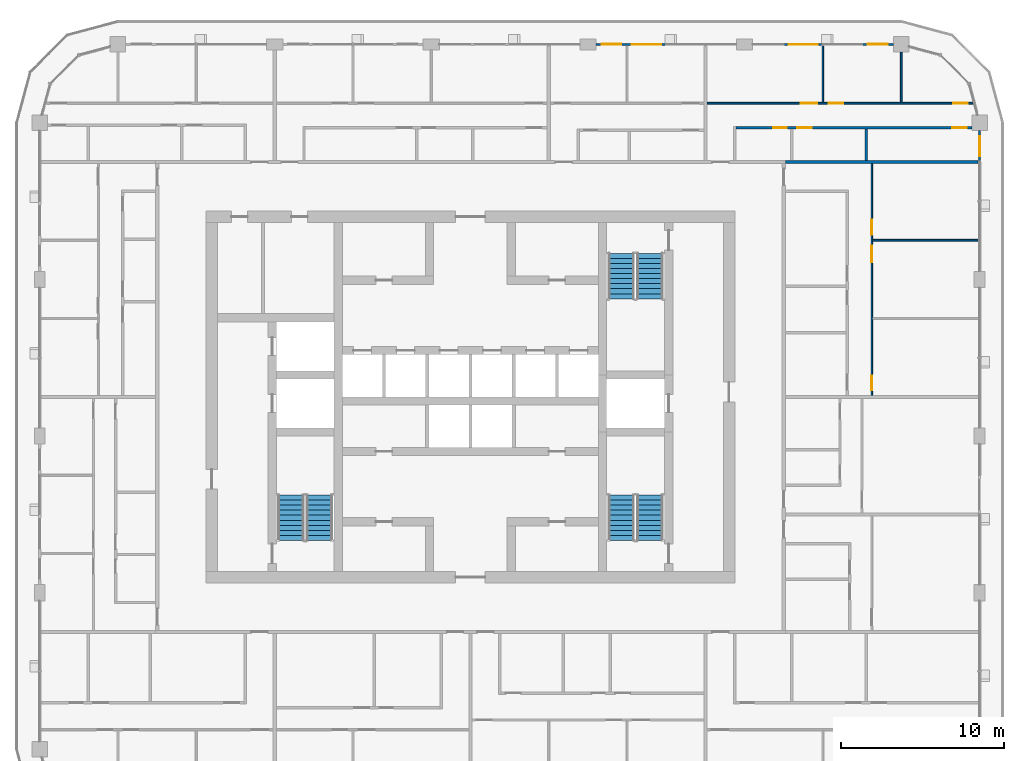
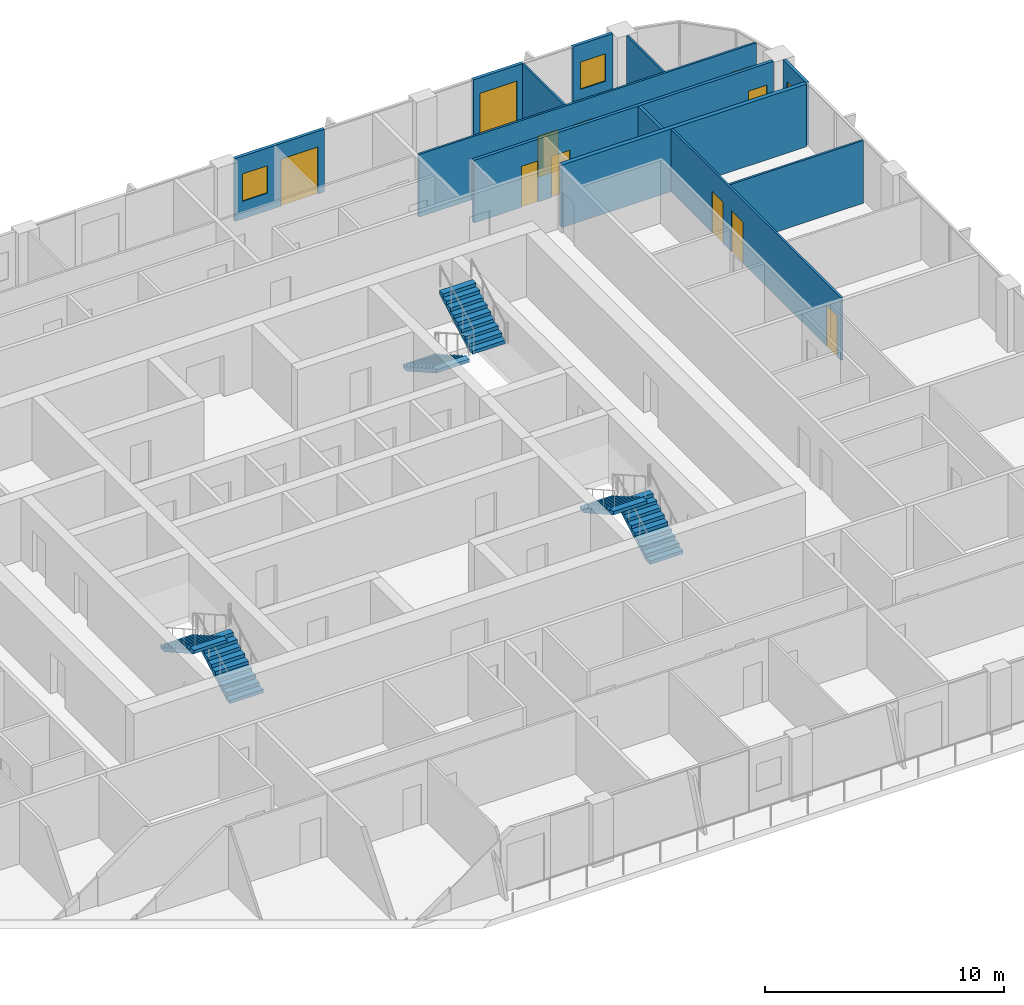
# One storey, part 15 of 21: 12 walls, 11 doors, 6 stair flights, 3 windows, 14 openings, 3 elements without a shape of their own.
"""IFC4 building model written with IfcOpenShell, lengths in metres."""

from ifc_helpers import new_model, si_unit, direction, frame, frame_2d, origin, place, context, subcontext, project, spatial, polyline, rectangle, outline, extrude, material, layer, layer_set, type_object, element, fill, aggregate, save


model = new_model("IFC4")

# Units and contexts
model_context = context("Model", 3, precision=1e-05, world=origin(), true_north=direction((0.0, 1.0)))
body_context = subcontext(model_context, "Body", "Model", "MODEL_VIEW")
ifc_project = project(units=[si_unit("LENGTHUNIT", "METRE"), si_unit("AREAUNIT", "SQUARE_METRE"), si_unit("VOLUMEUNIT", "CUBIC_METRE"), si_unit("PLANEANGLEUNIT", "RADIAN"), si_unit("MASSUNIT", "GRAM", prefix="KILO")], contexts=[model_context])

# Site, building, storey
site_placement = place(None, origin())
site = spatial("IfcSite", under=ifc_project, at=site_placement, CompositionType="ELEMENT")
building_placement = place(site_placement, origin())
building = spatial("IfcBuilding", under=site, at=building_placement, Name="Madar Terraces", CompositionType="ELEMENT")
storey_placement = place(building_placement, frame((0.0, 0.0, 196.39990234375)))
storey = spatial("IfcBuildingStorey", under=building, at=storey_placement, Name="L51", CompositionType="ELEMENT", Elevation=196.39990234375)

# Wall, opening, window
ifc_material_1 = material(Name="Aluminium composite panel, black, over insulated backing", Category="aluminium")
ifc_layer_1 = layer(ifc_material_1, 0.14990234375)
ifc_layer_set_1 = layer_set([ifc_layer_1], Name="Facade bay panel 150")
wall_type_1 = type_object("IfcWallType", Name="Facade bay panel 150", PredefinedType="SOLIDWALL", material=ifc_layer_set_1)
wall_1_placement = place(storey_placement, frame((62.39990234375, 40.800048828125, 0.0), z_axis=(0.0, 0.0, 1.0), x_axis=(0.0, 1.0, 0.0)))
wall_1 = element("IfcWall", 1, at=wall_1_placement, inside=storey, type_object=wall_type_1, Name="Facade bay panel", PredefinedType="SOLIDWALL", context=body_context, shape_type="SweptSolid", body=[
    extrude(rectangle(XDim=1.925048828125, YDim=0.14990234375, at=frame_2d((0.96240234375, 0.0))), origin(), (0.0, 0.0, 1.0), 3.2001953125),
])
opening_1_placement = place(wall_1_placement, frame((0.362548828125, 0.0, 0.89990234375)))
opening_1 = element("IfcOpeningElement", 2, at=opening_1_placement, cuts=wall_1, Name="Opening W1", PredefinedType="OPENING", context=body_context, shape_type="SweptSolid", body=[
    extrude(rectangle(XDim=1.199951171875, YDim=1.39990234375, at=frame_2d((0.60009765625, 0.699951171875))), frame((0.0, 0.0849609375, 0.0), z_axis=(0.0, -1.0, 0.0), x_axis=(1.0, 0.0, 0.0)), (0.0, 0.0, 1.0), 0.169921875),
])
ifc_material_2 = material(Name="Glass, clear, with black aluminium frame", Category="aluminium")
window_type = type_object("IfcWindowType", Name="Vent window 1200 x 1400", PartitioningType="SINGLE_PANEL", PredefinedType="WINDOW", material=ifc_material_2)
window_1_placement = place(opening_1_placement, origin())
window_1 = element("IfcWindow", 3, at=window_1_placement, inside=storey, type_object=window_type, Name="Operable vent window", OverallHeight=1.39990234375, OverallWidth=1.199951171875, PartitioningType="SINGLE_PANEL", PredefinedType="WINDOW", context=body_context, shape_type="SweptSolid", body=[
    extrude(rectangle(XDim=1.199951171875, YDim=1.39990234375, at=frame_2d((0.60009765625, 0.699951171875))), frame((0.0, 0.030029296875, 0.0), z_axis=(0.0, -1.0, 0.0), x_axis=(1.0, 0.0, 0.0)), (0.0, 0.0, 1.0), 0.06005859375),
])
fill(opening_1, window_1)

wall_2_placement = place(storey_placement, frame((57.125, 48.0, 0.0), z_axis=(0.0, 0.0, 1.0), x_axis=(-1.0, 0.0, 0.0)))
wall_2 = element("IfcWall", 4, at=wall_2_placement, inside=storey, type_object=wall_type_1, Name="Facade bay panel", PredefinedType="SOLIDWALL", context=body_context, shape_type="SweptSolid", body=[
    extrude(rectangle(XDim=1.925048828125, YDim=0.14990234375, at=frame_2d((0.96240234375, 0.0))), origin(), (0.0, 0.0, 1.0), 3.2001953125),
])
opening_2_placement = place(wall_2_placement, frame((0.362548828125, 0.0, 0.89990234375)))
opening_2 = element("IfcOpeningElement", 5, at=opening_2_placement, cuts=wall_2, Name="Opening W1", PredefinedType="OPENING", context=body_context, shape_type="SweptSolid", body=[
    extrude(rectangle(XDim=1.199951171875, YDim=1.39990234375, at=frame_2d((0.60009765625, 0.699951171875))), frame((0.0, 0.0849609375, 0.0), z_axis=(0.0, -1.0, 0.0), x_axis=(1.0, 0.0, 0.0)), (0.0, 0.0, 1.0), 0.169921875),
])
window_2_placement = place(opening_2_placement, origin())
window_2 = element("IfcWindow", 6, at=window_2_placement, inside=storey, type_object=window_type, Name="Operable vent window", OverallHeight=1.39990234375, OverallWidth=1.199951171875, PartitioningType="SINGLE_PANEL", PredefinedType="WINDOW", context=body_context, shape_type="SweptSolid", body=[
    extrude(rectangle(XDim=1.199951171875, YDim=1.39990234375, at=frame_2d((0.60009765625, 0.699951171875))), frame((0.0, 0.030029296875, 0.0), z_axis=(0.0, -1.0, 0.0), x_axis=(1.0, 0.0, 0.0)), (0.0, 0.0, 1.0), 0.06005859375),
])
fill(opening_2, window_2)

# Wall, opening, door
wall_3_placement = place(storey_placement, frame((52.800048828125, 48.0, 0.0), z_axis=(0.0, 0.0, 1.0), x_axis=(-1.0, 0.0, 0.0)))
wall_3 = element("IfcWall", 7, at=wall_3_placement, inside=storey, type_object=wall_type_1, Name="Facade bay panel", PredefinedType="SOLIDWALL", context=body_context, shape_type="SweptSolid", body=[
    extrude(rectangle(XDim=2.400146484375, YDim=0.14990234375, at=frame_2d((1.2001953125, 0.0))), origin(), (0.0, 0.0, 1.0), 3.2001953125),
])
opening_3_placement = place(wall_3_placement, frame((0.300048828125, 0.0, 0.0)))
opening_3 = element("IfcOpeningElement", 8, at=opening_3_placement, cuts=wall_3, Name="Opening ED1", PredefinedType="OPENING", context=body_context, shape_type="SweptSolid", body=[
    extrude(rectangle(XDim=1.800048828125, YDim=2.39990234375, at=frame_2d((0.89990234375, 1.199951171875))), frame((0.0, 0.0849609375, 0.0), z_axis=(0.0, -1.0, 0.0), x_axis=(1.0, 0.0, 0.0)), (0.0, 0.0, 1.0), 0.169921875),
])
ifc_material_3 = material(Name="Glass, clear, with black aluminium frame", Category="aluminium")
door_type_1 = type_object("IfcDoorType", Name="Balcony and terrace sliding door 1800 x 2400", OperationType="SLIDING_TO_LEFT", PredefinedType="DOOR", material=ifc_material_3)
door_1_placement = place(opening_3_placement, origin())
door_1 = element("IfcDoor", 9, at=door_1_placement, inside=storey, type_object=door_type_1, Name="Balcony door", OperationType="SLIDING_TO_LEFT", OverallHeight=2.39990234375, OverallWidth=1.800048828125, PredefinedType="DOOR", context=body_context, shape_type="SweptSolid", body=[
    extrude(rectangle(XDim=1.800048828125, YDim=2.39990234375, at=frame_2d((0.89990234375, 1.199951171875))), frame((0.0, 0.02490234375, 0.0), z_axis=(0.0, -1.0, 0.0), x_axis=(1.0, 0.0, 0.0)), (0.0, 0.0, 1.0), 0.050048828125),
])
fill(opening_3, door_1)

# Wall, openings, door, window
wall_4_placement = place(storey_placement, frame((43.199951171875, 48.0, 0.0), z_axis=(0.0, 0.0, 1.0), x_axis=(-1.0, 0.0, 0.0)))
wall_4 = element("IfcWall", 10, at=wall_4_placement, inside=storey, type_object=wall_type_1, Name="Facade bay panel", PredefinedType="SOLIDWALL", context=body_context, shape_type="SweptSolid", body=[
    extrude(rectangle(XDim=4.300048828125, YDim=0.14990234375, at=frame_2d((2.14990234375, 0.0))), origin(), (0.0, 0.0, 1.0), 3.2001953125),
])
opening_4_placement = place(wall_4_placement, frame((0.300048828125, 0.0, 0.0)))
opening_4 = element("IfcOpeningElement", 11, at=opening_4_placement, cuts=wall_4, Name="Opening ED1", PredefinedType="OPENING", context=body_context, shape_type="SweptSolid", body=[
    extrude(rectangle(XDim=1.800048828125, YDim=2.39990234375, at=frame_2d((0.89990234375, 1.199951171875))), frame((0.0, 0.0849609375, 0.0), z_axis=(0.0, -1.0, 0.0), x_axis=(1.0, 0.0, 0.0)), (0.0, 0.0, 1.0), 0.169921875),
])
opening_5_placement = place(wall_4_placement, frame((2.75, 0.0, 0.89990234375)))
opening_5 = element("IfcOpeningElement", 12, at=opening_5_placement, cuts=wall_4, Name="Opening W1", PredefinedType="OPENING", context=body_context, shape_type="SweptSolid", body=[
    extrude(rectangle(XDim=1.199951171875, YDim=1.39990234375, at=frame_2d((0.60009765625, 0.699951171875))), frame((0.0, 0.0849609375, 0.0), z_axis=(0.0, -1.0, 0.0), x_axis=(1.0, 0.0, 0.0)), (0.0, 0.0, 1.0), 0.169921875),
])
door_2_placement = place(opening_4_placement, origin())
door_2 = element("IfcDoor", 13, at=door_2_placement, inside=storey, type_object=door_type_1, Name="Balcony door", OperationType="SLIDING_TO_RIGHT", OverallHeight=2.39990234375, OverallWidth=1.800048828125, PredefinedType="DOOR", context=body_context, shape_type="SweptSolid", body=[
    extrude(rectangle(XDim=1.800048828125, YDim=2.39990234375, at=frame_2d((0.89990234375, 1.199951171875))), frame((0.0, 0.02490234375, 0.0), z_axis=(0.0, -1.0, 0.0), x_axis=(1.0, 0.0, 0.0)), (0.0, 0.0, 1.0), 0.050048828125),
])
fill(opening_4, door_2)
window_3_placement = place(opening_5_placement, origin())
window_3 = element("IfcWindow", 14, at=window_3_placement, inside=storey, type_object=window_type, Name="Operable vent window", OverallHeight=1.39990234375, OverallWidth=1.199951171875, PartitioningType="SINGLE_PANEL", PredefinedType="WINDOW", context=body_context, shape_type="SweptSolid", body=[
    extrude(rectangle(XDim=1.199951171875, YDim=1.39990234375, at=frame_2d((0.60009765625, 0.699951171875))), frame((0.0, 0.030029296875, 0.0), z_axis=(0.0, -1.0, 0.0), x_axis=(1.0, 0.0, 0.0)), (0.0, 0.0, 1.0), 0.06005859375),
])
fill(opening_5, window_3)

# Wall
ifc_material_4 = material(Name="Gypsum board on steel studs", Category="steel")
ifc_layer_2 = layer(ifc_material_4, 0.10009765625)
ifc_layer_set_2 = layer_set([ifc_layer_2], Name="Flat partition 100")
wall_type_2 = type_object("IfcWallType", Name="Flat partition 100", PredefinedType="PARTITIONING", material=ifc_layer_set_2)
wall_5_placement = place(storey_placement, frame((55.85009765625, 36.0, 0.0), z_axis=(0.0, 0.0, 1.0), x_axis=(1.0, 0.0, 0.0)))
element("IfcWall", 15, at=wall_5_placement, inside=storey, type_object=wall_type_2, Name="Flat partition 100", PredefinedType="PARTITIONING", context=body_context, shape_type="SweptSolid", body=[
    extrude(rectangle(XDim=6.449951171875, YDim=0.10009765625, at=frame_2d((3.22509765625, 0.0))), origin(), (0.0, 0.0, 1.0), 3.2001953125),
])

# Wall, openings, doors
wall_6_placement = place(storey_placement, frame((55.800048828125, 40.699951171875, 0.0), z_axis=(0.0, 0.0, 1.0), x_axis=(0.0, -1.0, 0.0)))
wall_6 = element("IfcWall", 16, at=wall_6_placement, inside=storey, type_object=wall_type_2, Name="Flat partition 100", PredefinedType="PARTITIONING", context=body_context, shape_type="SweptSolid", body=[
    extrude(rectangle(XDim=14.199951171875, YDim=0.10009765625, at=frame_2d((7.10009765625, 0.0))), origin(), (0.0, 0.0, 1.0), 3.2001953125),
])
opening_6_placement = place(wall_6_placement, frame((3.449951171875, 0.0, 0.0)))
opening_6 = element("IfcOpeningElement", 17, at=opening_6_placement, cuts=wall_6, Name="Opening D2", PredefinedType="OPENING", context=body_context, shape_type="SweptSolid", body=[
    extrude(rectangle(XDim=0.89990234375, YDim=2.10009765625, at=frame_2d((0.449951171875, 1.050048828125))), frame((0.0, 0.06005859375, 0.0), z_axis=(0.0, -1.0, 0.0), x_axis=(1.0, 0.0, 0.0)), (0.0, 0.0, 1.0), 0.1201171875),
])
opening_7_placement = place(wall_6_placement, frame((5.050048828125, 0.0, 0.0)))
opening_7 = element("IfcOpeningElement", 18, at=opening_7_placement, cuts=wall_6, Name="Opening D3", PredefinedType="OPENING", context=body_context, shape_type="SweptSolid", body=[
    extrude(rectangle(XDim=1.0, YDim=2.10009765625, at=frame_2d((0.5, 1.050048828125))), frame((0.0, 0.06005859375, 0.0), z_axis=(0.0, -1.0, 0.0), x_axis=(1.0, 0.0, 0.0)), (0.0, 0.0, 1.0), 0.1201171875),
])
opening_8_placement = place(wall_6_placement, frame((13.0, 0.0, 0.0)))
opening_8 = element("IfcOpeningElement", 19, at=opening_8_placement, cuts=wall_6, Name="Opening D2", PredefinedType="OPENING", context=body_context, shape_type="SweptSolid", body=[
    extrude(rectangle(XDim=0.89990234375, YDim=2.10009765625, at=frame_2d((0.449951171875, 1.050048828125))), frame((0.0, 0.06005859375, 0.0), z_axis=(0.0, -1.0, 0.0), x_axis=(1.0, 0.0, 0.0)), (0.0, 0.0, 1.0), 0.1201171875),
])
ifc_material_5 = material(Name="Timber door leaf", Category="wood")
door_type_2 = type_object("IfcDoorType", Name="Flat living room door 1000", OperationType="NOTDEFINED", PredefinedType="DOOR", material=ifc_material_5)
door_3_placement = place(opening_7_placement, origin())
door_3 = element("IfcDoor", 20, at=door_3_placement, inside=storey, type_object=door_type_2, Name="Flat living room door 1000", OperationType="SINGLE_SWING_LEFT", OverallHeight=2.10009765625, OverallWidth=1.0, PredefinedType="DOOR", context=body_context, shape_type="SweptSolid", body=[
    extrude(rectangle(XDim=1.0, YDim=2.10009765625, at=frame_2d((0.5, 1.050048828125))), frame((0.0, 0.02490234375, 0.0), z_axis=(0.0, -1.0, 0.0), x_axis=(1.0, 0.0, 0.0)), (0.0, 0.0, 1.0), 0.050048828125),
])
fill(opening_7, door_3)
ifc_material_6 = material(Name="Timber door leaf", Category="wood")
door_type_3 = type_object("IfcDoorType", Name="Flat room door 900", OperationType="NOTDEFINED", PredefinedType="DOOR", material=ifc_material_6)
door_4_placement = place(opening_6_placement, origin())
door_4 = element("IfcDoor", 21, at=door_4_placement, inside=storey, type_object=door_type_3, Name="Flat room door 900", OperationType="SINGLE_SWING_RIGHT", OverallHeight=2.10009765625, OverallWidth=0.89990234375, PredefinedType="DOOR", context=body_context, shape_type="SweptSolid", body=[
    extrude(rectangle(XDim=0.89990234375, YDim=2.10009765625, at=frame_2d((0.449951171875, 1.050048828125))), frame((0.0, 0.02490234375, 0.0), z_axis=(0.0, -1.0, 0.0), x_axis=(1.0, 0.0, 0.0)), (0.0, 0.0, 1.0), 0.050048828125),
])
fill(opening_6, door_4)
door_5_placement = place(opening_8_placement, origin())
door_5 = element("IfcDoor", 22, at=door_5_placement, inside=storey, type_object=door_type_3, Name="Flat room door 900", OperationType="SINGLE_SWING_RIGHT", OverallHeight=2.10009765625, OverallWidth=0.89990234375, PredefinedType="DOOR", context=body_context, shape_type="SweptSolid", body=[
    extrude(rectangle(XDim=0.89990234375, YDim=2.10009765625, at=frame_2d((0.449951171875, 1.050048828125))), frame((0.0, 0.02490234375, 0.0), z_axis=(0.0, -1.0, 0.0), x_axis=(1.0, 0.0, 0.0)), (0.0, 0.0, 1.0), 0.050048828125),
])
fill(opening_8, door_5)

# Walls
wall_7_placement = place(storey_placement, frame((52.800048828125, 44.449951171875, 0.0), z_axis=(0.0, 0.0, 1.0), x_axis=(0.0, 1.0, 0.0)))
element("IfcWall", 23, at=wall_7_placement, inside=storey, type_object=wall_type_2, Name="Flat partition 100", PredefinedType="PARTITIONING", context=body_context, shape_type="SweptSolid", body=[
    extrude(rectangle(XDim=3.449951171875, YDim=0.10009765625, at=frame_2d((1.72509765625, 0.0))), origin(), (0.0, 0.0, 1.0), 3.2001953125),
])
wall_8_placement = place(storey_placement, frame((57.60009765625, 44.449951171875, 0.0), z_axis=(0.0, 0.0, 1.0), x_axis=(0.0, 1.0, 0.0)))
element("IfcWall", 24, at=wall_8_placement, inside=storey, type_object=wall_type_2, Name="Flat partition 100", PredefinedType="PARTITIONING", context=body_context, shape_type="SweptSolid", body=[
    extrude(rectangle(XDim=3.074951171875, YDim=0.10009765625, at=frame_2d((1.53759765625, 0.0))), origin(), (0.0, 0.0, 1.0), 3.2001953125),
])

# Wall, openings, doors
wall_9_placement = place(storey_placement, frame((45.699951171875, 44.39990234375, 0.0), z_axis=(0.0, 0.0, 1.0), x_axis=(1.0, 0.0, 0.0)))
wall_9 = element("IfcWall", 25, at=wall_9_placement, inside=storey, type_object=wall_type_2, Name="Flat partition 100", PredefinedType="PARTITIONING", context=body_context, shape_type="SweptSolid", body=[
    extrude(rectangle(XDim=16.278564453125, YDim=0.10009765625, at=frame_2d((8.13916015625, 0.0))), origin(), (0.0, 0.0, 1.0), 3.2001953125),
])
opening_9_placement = place(wall_9_placement, frame((5.75, 0.0, 0.0)))
opening_9 = element("IfcOpeningElement", 26, at=opening_9_placement, cuts=wall_9, Name="Opening D3", PredefinedType="OPENING", context=body_context, shape_type="SweptSolid", body=[
    extrude(rectangle(XDim=1.0, YDim=2.10009765625, at=frame_2d((0.5, 1.050048828125))), frame((0.0, 0.06005859375, 0.0), z_axis=(0.0, -1.0, 0.0), x_axis=(1.0, 0.0, 0.0)), (0.0, 0.0, 1.0), 0.1201171875),
])
opening_10_placement = place(wall_9_placement, frame((7.449951171875, 0.0, 0.0)))
opening_10 = element("IfcOpeningElement", 27, at=opening_10_placement, cuts=wall_9, Name="Opening D2", PredefinedType="OPENING", context=body_context, shape_type="SweptSolid", body=[
    extrude(rectangle(XDim=0.89990234375, YDim=2.10009765625, at=frame_2d((0.449951171875, 1.050048828125))), frame((0.0, 0.06005859375, 0.0), z_axis=(0.0, -1.0, 0.0), x_axis=(1.0, 0.0, 0.0)), (0.0, 0.0, 1.0), 0.1201171875),
])
opening_11_placement = place(wall_9_placement, frame((15.07861328125, 0.0, 0.0)))
opening_11 = element("IfcOpeningElement", 28, at=opening_11_placement, cuts=wall_9, Name="Opening D2", PredefinedType="OPENING", context=body_context, shape_type="SweptSolid", body=[
    extrude(rectangle(XDim=0.89990234375, YDim=2.10009765625, at=frame_2d((0.449951171875, 1.050048828125))), frame((0.0, 0.06005859375, 0.0), z_axis=(0.0, -1.0, 0.0), x_axis=(1.0, 0.0, 0.0)), (0.0, 0.0, 1.0), 0.1201171875),
])
door_6_placement = place(opening_9_placement, origin())
door_6 = element("IfcDoor", 29, at=door_6_placement, inside=storey, type_object=door_type_2, Name="Flat living room door 1000", OperationType="SINGLE_SWING_RIGHT", OverallHeight=2.10009765625, OverallWidth=1.0, PredefinedType="DOOR", context=body_context, shape_type="SweptSolid", body=[
    extrude(rectangle(XDim=1.0, YDim=2.10009765625, at=frame_2d((0.5, 1.050048828125))), frame((0.0, 0.02490234375, 0.0), z_axis=(0.0, -1.0, 0.0), x_axis=(1.0, 0.0, 0.0)), (0.0, 0.0, 1.0), 0.050048828125),
])
fill(opening_9, door_6)
door_7_placement = place(opening_10_placement, origin())
door_7 = element("IfcDoor", 30, at=door_7_placement, inside=storey, type_object=door_type_3, Name="Flat room door 900", OperationType="SINGLE_SWING_LEFT", OverallHeight=2.10009765625, OverallWidth=0.89990234375, PredefinedType="DOOR", context=body_context, shape_type="SweptSolid", body=[
    extrude(rectangle(XDim=0.89990234375, YDim=2.10009765625, at=frame_2d((0.449951171875, 1.050048828125))), frame((0.0, 0.02490234375, 0.0), z_axis=(0.0, -1.0, 0.0), x_axis=(1.0, 0.0, 0.0)), (0.0, 0.0, 1.0), 0.050048828125),
])
fill(opening_10, door_7)
door_8_placement = place(opening_11_placement, origin())
door_8 = element("IfcDoor", 31, at=door_8_placement, inside=storey, type_object=door_type_3, Name="Flat room door 900", OperationType="SINGLE_SWING_RIGHT", OverallHeight=2.10009765625, OverallWidth=0.89990234375, PredefinedType="DOOR", context=body_context, shape_type="SweptSolid", body=[
    extrude(rectangle(XDim=0.89990234375, YDim=2.10009765625, at=frame_2d((0.449951171875, 1.050048828125))), frame((0.0, 0.02490234375, 0.0), z_axis=(0.0, -1.0, 0.0), x_axis=(1.0, 0.0, 0.0)), (0.0, 0.0, 1.0), 0.050048828125),
])
fill(opening_11, door_8)

# Walls
ifc_material_7 = material(Name="Lightweight blockwork", Category="masonry")
ifc_layer_3 = layer(ifc_material_7, 0.199951171875)
ifc_layer_set_3 = layer_set([ifc_layer_3], Name="Flat party and entrance wall 200")
wall_type_3 = type_object("IfcWallType", Name="Flat party and entrance wall 200", PredefinedType="PARTITIONING", material=ifc_layer_set_3)
wall_10_placement = place(storey_placement, frame((50.5, 40.800048828125, 0.0), z_axis=(0.0, 0.0, 1.0), x_axis=(1.0, 0.0, 0.0)))
element("IfcWall", 32, at=wall_10_placement, inside=storey, type_object=wall_type_3, Name="Flat party and entrance wall 200", PredefinedType="PARTITIONING", context=body_context, shape_type="SweptSolid", body=[
    extrude(rectangle(XDim=11.800048828125, YDim=0.199951171875, at=frame_2d((5.89990234375, 0.0))), origin(), (0.0, 0.0, 1.0), 3.2001953125),
])
ifc_material_8 = material(Name="Lightweight blockwork", Category="masonry")
ifc_layer_4 = layer(ifc_material_8, 0.14990234375)
ifc_layer_set_4 = layer_set([ifc_layer_4], Name="Flat wet-room partition 150")
wall_type_4 = type_object("IfcWallType", Name="Flat wet-room partition 150", PredefinedType="PARTITIONING", material=ifc_layer_set_4)
wall_11_placement = place(storey_placement, frame((55.457763671875, 40.89990234375, 0.0), z_axis=(0.0, 0.0, 1.0), x_axis=(0.0, 1.0, 0.0)))
element("IfcWall", 33, at=wall_11_placement, inside=storey, type_object=wall_type_4, Name="Flat wet-room partition 150", PredefinedType="PARTITIONING", context=body_context, shape_type="SweptSolid", body=[
    extrude(rectangle(XDim=1.925048828125, YDim=0.14990234375, at=frame_2d((0.96240234375, 0.0))), origin(), (0.0, 0.0, 1.0), 3.2001953125),
])

# Wall, openings, doors
wall_12_placement = place(storey_placement, frame((61.925048828125, 42.89990234375, 0.0), z_axis=(0.0, 0.0, 1.0), x_axis=(-1.0, 0.0, 0.0)))
wall_12 = element("IfcWall", 34, at=wall_12_placement, inside=storey, type_object=wall_type_4, Name="Flat wet-room partition 150", PredefinedType="PARTITIONING", context=body_context, shape_type="SweptSolid", body=[
    extrude(rectangle(XDim=14.449951171875, YDim=0.14990234375, at=frame_2d((7.22509765625, 0.0))), origin(), (0.0, 0.0, 1.0), 3.2001953125),
])
opening_12_placement = place(wall_12_placement, frame((11.353759765625, 0.0, 0.0)))
opening_12 = element("IfcOpeningElement", 35, at=opening_12_placement, cuts=wall_12, Name="Opening D4", PredefinedType="OPENING", context=body_context, shape_type="SweptSolid", body=[
    extrude(rectangle(XDim=0.800048828125, YDim=2.10009765625, at=frame_2d((0.39990234375, 1.050048828125))), frame((0.0, 0.0849609375, 0.0), z_axis=(0.0, -1.0, 0.0), x_axis=(1.0, 0.0, 0.0)), (0.0, 0.0, 1.0), 0.169921875),
])
opening_13_placement = place(wall_12_placement, frame((9.8037109375, 0.0, 0.0)))
opening_13 = element("IfcOpeningElement", 36, at=opening_13_placement, cuts=wall_12, Name="Opening D5", PredefinedType="OPENING", context=body_context, shape_type="SweptSolid", body=[
    extrude(rectangle(XDim=0.89990234375, YDim=2.10009765625, at=frame_2d((0.449951171875, 1.050048828125))), frame((0.0, 0.0849609375, 0.0), z_axis=(0.0, -1.0, 0.0), x_axis=(1.0, 0.0, 0.0)), (0.0, 0.0, 1.0), 0.169921875),
])
opening_14_placement = place(wall_12_placement, frame((0.300048828125, 0.0, 0.0)))
opening_14 = element("IfcOpeningElement", 37, at=opening_14_placement, cuts=wall_12, Name="Opening D2", PredefinedType="OPENING", context=body_context, shape_type="SweptSolid", body=[
    extrude(rectangle(XDim=0.89990234375, YDim=2.10009765625, at=frame_2d((0.449951171875, 1.050048828125))), frame((0.0, 0.0849609375, 0.0), z_axis=(0.0, -1.0, 0.0), x_axis=(1.0, 0.0, 0.0)), (0.0, 0.0, 1.0), 0.169921875),
])
ifc_material_9 = material(Name="Timber door leaf", Category="wood")
door_type_4 = type_object("IfcDoorType", Name="Flat accessible bathroom door 900", OperationType="NOTDEFINED", PredefinedType="DOOR", material=ifc_material_9)
door_9_placement = place(opening_13_placement, origin())
door_9 = element("IfcDoor", 38, at=door_9_placement, inside=storey, type_object=door_type_4, Name="Flat accessible bathroom door 900", OperationType="SINGLE_SWING_RIGHT", OverallHeight=2.10009765625, OverallWidth=0.89990234375, PredefinedType="DOOR", context=body_context, shape_type="SweptSolid", body=[
    extrude(rectangle(XDim=0.89990234375, YDim=2.10009765625, at=frame_2d((0.449951171875, 1.050048828125))), frame((0.0, 0.02490234375, 0.0), z_axis=(0.0, -1.0, 0.0), x_axis=(1.0, 0.0, 0.0)), (0.0, 0.0, 1.0), 0.050048828125),
])
fill(opening_13, door_9)
ifc_material_10 = material(Name="Timber door leaf", Category="wood")
door_type_5 = type_object("IfcDoorType", Name="Flat bathroom door 800", OperationType="NOTDEFINED", PredefinedType="DOOR", material=ifc_material_10)
door_10_placement = place(opening_12_placement, origin())
door_10 = element("IfcDoor", 39, at=door_10_placement, inside=storey, type_object=door_type_5, Name="Flat bathroom door 800", OperationType="SINGLE_SWING_LEFT", OverallHeight=2.10009765625, OverallWidth=0.800048828125, PredefinedType="DOOR", context=body_context, shape_type="SweptSolid", body=[
    extrude(rectangle(XDim=0.800048828125, YDim=2.10009765625, at=frame_2d((0.39990234375, 1.050048828125))), frame((0.0, 0.02490234375, 0.0), z_axis=(0.0, -1.0, 0.0), x_axis=(1.0, 0.0, 0.0)), (0.0, 0.0, 1.0), 0.050048828125),
])
fill(opening_12, door_10)
door_11_placement = place(opening_14_placement, origin())
door_11 = element("IfcDoor", 40, at=door_11_placement, inside=storey, type_object=door_type_3, Name="Flat room door 900", OperationType="SINGLE_SWING_LEFT", OverallHeight=2.10009765625, OverallWidth=0.89990234375, PredefinedType="DOOR", context=body_context, shape_type="SweptSolid", body=[
    extrude(rectangle(XDim=0.89990234375, YDim=2.10009765625, at=frame_2d((0.449951171875, 1.050048828125))), frame((0.0, 0.02490234375, 0.0), z_axis=(0.0, -1.0, 0.0), x_axis=(1.0, 0.0, 0.0)), (0.0, 0.0, 1.0), 0.050048828125),
])
fill(opening_14, door_11)

# Stair, stair flights
ifc_material_11 = material(Name="Concrete C50/60", Category="concrete")
stair_type_1 = type_object("IfcStairType", Name="Stair ST1 protected exit", PredefinedType="HALF_TURN_STAIR", material=ifc_material_11)
stair_1_placement = place(storey_placement, origin())
stair_1 = element("IfcStair", 41, at=stair_1_placement, inside=storey, type_object=stair_type_1, Name="L51 Protected Exit Stair ST1", PredefinedType="HALF_TURN_STAIR")
ifc_material_12 = material(Name="Concrete C50/60", Category="concrete")
stair_flight_type_1 = type_object("IfcStairFlightType", Name="Stair flight ST1-F4, 1600 wide, 10 risers", PredefinedType="STRAIGHT", material=ifc_material_12)
stair_flight_1_placement = place(storey_placement, frame((21.949951171875, 17.60009765625, 0.0), z_axis=(0.0, 0.0, 1.0), x_axis=(0.0, 1.0, 0.0)))
stair_flight_1 = element("IfcStairFlight", 42, at=stair_flight_1_placement, type_object=stair_flight_type_1, Name="ST1 flight 1", NumberOfRisers=10, NumberOfTreads=9, PredefinedType="STRAIGHT", RiserHeight=0.175, TreadLength=0.31, context=body_context, shape_type="SweptSolid", body=[
    extrude(outline(polyline([(0.0, 0.0), (0.0, 0.175048828125), (0.31005859375, 0.175048828125), (0.31005859375, 0.35009765625), (0.6201171875, 0.35009765625), (0.6201171875, 0.52490234375), (0.929931640625, 0.52490234375), (0.929931640625, 0.699951171875), (1.239990234375, 0.699951171875), (1.239990234375, 0.875), (1.550048828125, 0.875), (1.550048828125, 1.050048828125), (1.860107421875, 1.050048828125), (1.860107421875, 1.22509765625), (2.169921875, 1.22509765625), (2.169921875, 1.39990234375), (2.47998046875, 1.39990234375), (2.47998046875, 1.574951171875), (2.7900390625, 1.574951171875), (2.7900390625, 1.75), (2.7900390625, 1.40283203125), (0.304931640625, 0.0), (0.0, 0.0)])), frame((0.0, 0.800048828125, 0.0), z_axis=(0.0, -1.0, 0.0), x_axis=(1.0, 0.0, 0.0)), (0.0, 0.0, 1.0), 1.60009765625),
])
stair_flight_2_placement = place(storey_placement, frame((20.199951171875, 20.389892578125, 1.75), z_axis=(0.0, 0.0, 1.0), x_axis=(0.0, -1.0, 0.0)))
stair_flight_2 = element("IfcStairFlight", 43, at=stair_flight_2_placement, type_object=stair_flight_type_1, Name="ST1 flight 2", NumberOfRisers=10, NumberOfTreads=9, PredefinedType="STRAIGHT", RiserHeight=0.175, TreadLength=0.31, context=body_context, shape_type="SweptSolid", body=[
    extrude(outline(polyline([(0.0, 0.0), (0.0, 0.175048828125), (0.31005859375, 0.175048828125), (0.31005859375, 0.35009765625), (0.6201171875, 0.35009765625), (0.6201171875, 0.52490234375), (0.929931640625, 0.52490234375), (0.929931640625, 0.699951171875), (1.239990234375, 0.699951171875), (1.239990234375, 0.875), (1.550048828125, 0.875), (1.550048828125, 1.050048828125), (1.860107421875, 1.050048828125), (1.860107421875, 1.22509765625), (2.169921875, 1.22509765625), (2.169921875, 1.39990234375), (2.47998046875, 1.39990234375), (2.47998046875, 1.574951171875), (2.7900390625, 1.574951171875), (2.7900390625, 1.75), (2.7900390625, 1.40283203125), (0.304931640625, 0.0), (0.0, 0.0)])), frame((0.0, 0.800048828125, 0.0), z_axis=(0.0, -1.0, 0.0), x_axis=(1.0, 0.0, 0.0)), (0.0, 0.0, 1.0), 1.60009765625),
])
aggregate(stair_1, [stair_flight_1, stair_flight_2])

ifc_material_13 = material(Name="Concrete C50/60", Category="concrete")
stair_type_2 = type_object("IfcStairType", Name="Stair ST2 protected exit", PredefinedType="HALF_TURN_STAIR", material=ifc_material_13)
stair_2_placement = place(storey_placement, origin())
stair_2 = element("IfcStair", 44, at=stair_2_placement, inside=storey, type_object=stair_type_2, Name="L51 Protected Exit Stair ST2", PredefinedType="HALF_TURN_STAIR")
ifc_material_14 = material(Name="Concrete C50/60", Category="concrete")
stair_flight_type_2 = type_object("IfcStairFlightType", Name="Stair flight ST2-F4, 1600 wide, 10 risers", PredefinedType="STRAIGHT", material=ifc_material_14)
stair_flight_3_placement = place(storey_placement, frame((40.449951171875, 35.199951171875, 0.0), z_axis=(0.0, 0.0, 1.0), x_axis=(0.0, -1.0, 0.0)))
stair_flight_3 = element("IfcStairFlight", 45, at=stair_flight_3_placement, type_object=stair_flight_type_2, Name="ST2 flight 1", NumberOfRisers=10, NumberOfTreads=9, PredefinedType="STRAIGHT", RiserHeight=0.175, TreadLength=0.31, context=body_context, shape_type="SweptSolid", body=[
    extrude(outline(polyline([(0.0, 0.0), (0.0, 0.175048828125), (0.31005859375, 0.175048828125), (0.31005859375, 0.35009765625), (0.6201171875, 0.35009765625), (0.6201171875, 0.52490234375), (0.929931640625, 0.52490234375), (0.929931640625, 0.699951171875), (1.239990234375, 0.699951171875), (1.239990234375, 0.875), (1.550048828125, 0.875), (1.550048828125, 1.050048828125), (1.860107421875, 1.050048828125), (1.860107421875, 1.22509765625), (2.169921875, 1.22509765625), (2.169921875, 1.39990234375), (2.47998046875, 1.39990234375), (2.47998046875, 1.574951171875), (2.7900390625, 1.574951171875), (2.7900390625, 1.75), (2.7900390625, 1.40283203125), (0.304931640625, 0.0), (0.0, 0.0)])), frame((0.0, 0.800048828125, 0.0), z_axis=(0.0, -1.0, 0.0), x_axis=(1.0, 0.0, 0.0)), (0.0, 0.0, 1.0), 1.60009765625),
])
stair_flight_4_placement = place(storey_placement, frame((42.199951171875, 32.409912109375, 1.75), z_axis=(0.0, 0.0, 1.0), x_axis=(0.0, 1.0, 0.0)))
stair_flight_4 = element("IfcStairFlight", 46, at=stair_flight_4_placement, type_object=stair_flight_type_2, Name="ST2 flight 2", NumberOfRisers=10, NumberOfTreads=9, PredefinedType="STRAIGHT", RiserHeight=0.175, TreadLength=0.31, context=body_context, shape_type="SweptSolid", body=[
    extrude(outline(polyline([(0.0, 0.0), (0.0, 0.175048828125), (0.31005859375, 0.175048828125), (0.31005859375, 0.35009765625), (0.6201171875, 0.35009765625), (0.6201171875, 0.52490234375), (0.929931640625, 0.52490234375), (0.929931640625, 0.699951171875), (1.239990234375, 0.699951171875), (1.239990234375, 0.875), (1.550048828125, 0.875), (1.550048828125, 1.050048828125), (1.860107421875, 1.050048828125), (1.860107421875, 1.22509765625), (2.169921875, 1.22509765625), (2.169921875, 1.39990234375), (2.47998046875, 1.39990234375), (2.47998046875, 1.574951171875), (2.7900390625, 1.574951171875), (2.7900390625, 1.75), (2.7900390625, 1.40283203125), (0.304931640625, 0.0), (0.0, 0.0)])), frame((0.0, 0.800048828125, 0.0), z_axis=(0.0, -1.0, 0.0), x_axis=(1.0, 0.0, 0.0)), (0.0, 0.0, 1.0), 1.60009765625),
])
aggregate(stair_2, [stair_flight_3, stair_flight_4])

ifc_material_15 = material(Name="Concrete C50/60", Category="concrete")
stair_type_3 = type_object("IfcStairType", Name="Stair ST3 protected exit", PredefinedType="HALF_TURN_STAIR", material=ifc_material_15)
stair_3_placement = place(storey_placement, origin())
stair_3 = element("IfcStair", 47, at=stair_3_placement, inside=storey, type_object=stair_type_3, Name="L51 Protected Exit Stair ST3", PredefinedType="HALF_TURN_STAIR")
ifc_material_16 = material(Name="Concrete C50/60", Category="concrete")
stair_flight_type_3 = type_object("IfcStairFlightType", Name="Stair flight ST3-F4, 1600 wide, 10 risers", PredefinedType="STRAIGHT", material=ifc_material_16)
stair_flight_5_placement = place(storey_placement, frame((42.199951171875, 17.60009765625, 0.0), z_axis=(0.0, 0.0, 1.0), x_axis=(0.0, 1.0, 0.0)))
stair_flight_5 = element("IfcStairFlight", 48, at=stair_flight_5_placement, type_object=stair_flight_type_3, Name="ST3 flight 1", NumberOfRisers=10, NumberOfTreads=9, PredefinedType="STRAIGHT", RiserHeight=0.175, TreadLength=0.31, context=body_context, shape_type="SweptSolid", body=[
    extrude(outline(polyline([(0.0, 0.0), (0.0, 0.175048828125), (0.31005859375, 0.175048828125), (0.31005859375, 0.35009765625), (0.6201171875, 0.35009765625), (0.6201171875, 0.52490234375), (0.929931640625, 0.52490234375), (0.929931640625, 0.699951171875), (1.239990234375, 0.699951171875), (1.239990234375, 0.875), (1.550048828125, 0.875), (1.550048828125, 1.050048828125), (1.860107421875, 1.050048828125), (1.860107421875, 1.22509765625), (2.169921875, 1.22509765625), (2.169921875, 1.39990234375), (2.47998046875, 1.39990234375), (2.47998046875, 1.574951171875), (2.7900390625, 1.574951171875), (2.7900390625, 1.75), (2.7900390625, 1.40283203125), (0.304931640625, 0.0), (0.0, 0.0)])), frame((0.0, 0.800048828125, 0.0), z_axis=(0.0, -1.0, 0.0), x_axis=(1.0, 0.0, 0.0)), (0.0, 0.0, 1.0), 1.60009765625),
])
stair_flight_6_placement = place(storey_placement, frame((40.449951171875, 20.389892578125, 1.75), z_axis=(0.0, 0.0, 1.0), x_axis=(0.0, -1.0, 0.0)))
stair_flight_6 = element("IfcStairFlight", 49, at=stair_flight_6_placement, type_object=stair_flight_type_3, Name="ST3 flight 2", NumberOfRisers=10, NumberOfTreads=9, PredefinedType="STRAIGHT", RiserHeight=0.175, TreadLength=0.31, context=body_context, shape_type="SweptSolid", body=[
    extrude(outline(polyline([(0.0, 0.0), (0.0, 0.175048828125), (0.31005859375, 0.175048828125), (0.31005859375, 0.35009765625), (0.6201171875, 0.35009765625), (0.6201171875, 0.52490234375), (0.929931640625, 0.52490234375), (0.929931640625, 0.699951171875), (1.239990234375, 0.699951171875), (1.239990234375, 0.875), (1.550048828125, 0.875), (1.550048828125, 1.050048828125), (1.860107421875, 1.050048828125), (1.860107421875, 1.22509765625), (2.169921875, 1.22509765625), (2.169921875, 1.39990234375), (2.47998046875, 1.39990234375), (2.47998046875, 1.574951171875), (2.7900390625, 1.574951171875), (2.7900390625, 1.75), (2.7900390625, 1.40283203125), (0.304931640625, 0.0), (0.0, 0.0)])), frame((0.0, 0.800048828125, 0.0), z_axis=(0.0, -1.0, 0.0), x_axis=(1.0, 0.0, 0.0)), (0.0, 0.0, 1.0), 1.60009765625),
])
aggregate(stair_3, [stair_flight_5, stair_flight_6])

save(model, "model.ifc")
